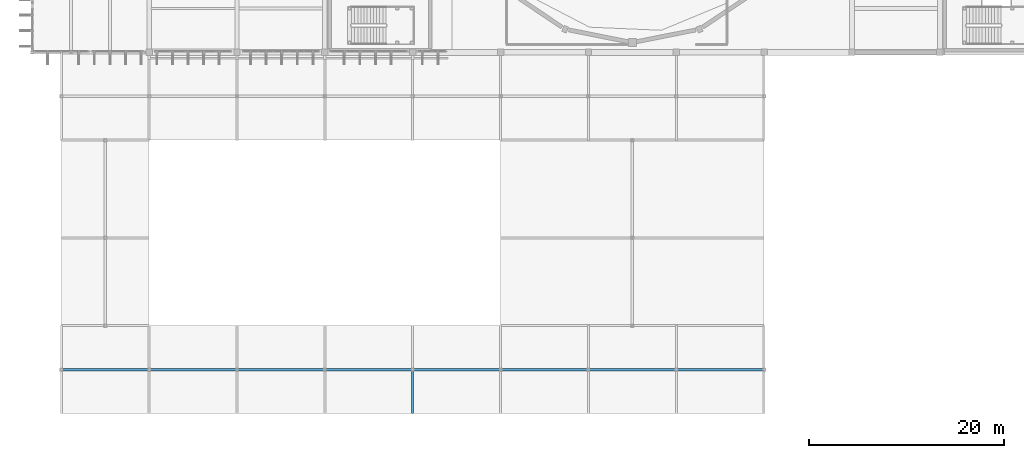
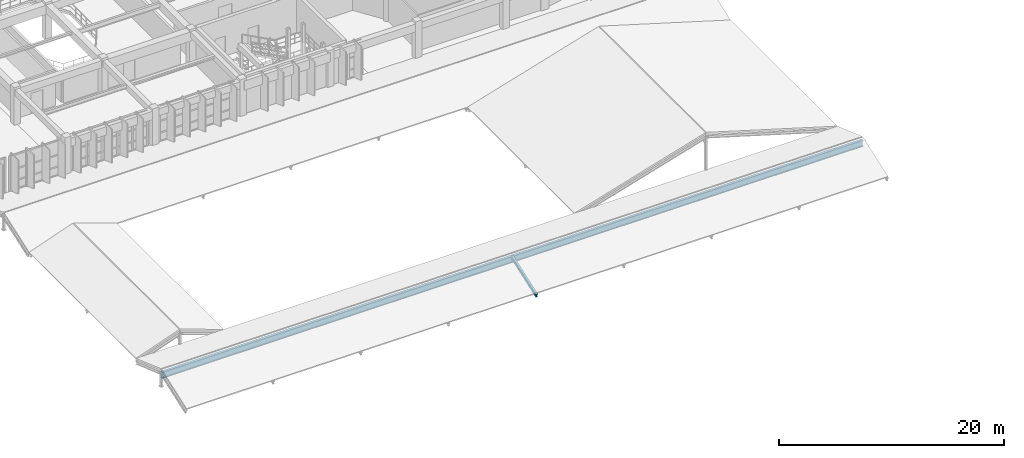
# One storey, part 10 of 80: 1 beam, 1 member.
"""IFC4 building model written with IfcOpenShell, lengths in metres."""

from ifc_helpers import new_model, si_unit, direction, frame, origin, origin_2d, place, context, subcontext, project, spatial, i_section, extrude, material, material_profile, profile_set, type_object, element, save


model = new_model("IFC4")

# Units and contexts
model_context = context("Model", 3, precision=1e-05, world=origin(), true_north=direction((0.0, 1.0)))
body_context = subcontext(model_context, "Body", "Model", "MODEL_VIEW")
ifc_project = project(units=[si_unit("LENGTHUNIT", "METRE"), si_unit("AREAUNIT", "SQUARE_METRE"), si_unit("VOLUMEUNIT", "CUBIC_METRE"), si_unit("PLANEANGLEUNIT", "RADIAN"), si_unit("MASSUNIT", "GRAM", prefix="KILO")], contexts=[model_context])

# Site, building, storey
site_placement = place(None, origin())
site = spatial("IfcSite", under=ifc_project, at=site_placement, CompositionType="ELEMENT")
building_placement = place(site_placement, origin())
building = spatial("IfcBuilding", under=site, at=building_placement, Name="Miravela Opera House", CompositionType="ELEMENT")
storey_placement = place(building_placement, frame((0.0, 0.0, 17.679931640625)))
storey = spatial("IfcBuildingStorey", under=building, at=storey_placement, Name="L04", CompositionType="ELEMENT", Elevation=17.679931640625)

# Beam
ifc_material = material(Name="Structural steel ASTM A992 Gr. 50", Category="steel")
ifc_material_profile_1 = material_profile(ifc_material, i_section(OverallWidth=0.256103515625, OverallDepth=0.693115234375, WebThickness=0.014404296875, FlangeThickness=0.023681640625, FilletRadius=0.01806640625, at=origin_2d()), Name="W690X170")
ifc_profile_set_1 = profile_set([ifc_material_profile_1])
beam_type = type_object("IfcBeamType", Name="STR-BM-W690X170", PredefinedType="BEAM", material=ifc_profile_set_1)
beam_placement = place(storey_placement, frame((18.0, 4.5, 0.93359375), z_axis=(1.0, 0.0, 0.0), x_axis=(0.0, 1.0, 0.0)))
element("IfcBeam", 1, at=beam_placement, inside=storey, type_object=beam_type, Name="Clay Tile Roof Ridge Beam ROOF-V4-WEST-S", PredefinedType="BEAM", context=body_context, shape_type="SweptSolid", body=[
    extrude(i_section(OverallWidth=0.256103515625, OverallDepth=0.693115234375, WebThickness=0.014404296875, FlangeThickness=0.023681640625, FilletRadius=0.01806640625, at=origin_2d()), origin(), (0.0, 0.0, 1.0), 72.0),
])

# Member
ifc_material_profile_2 = material_profile(ifc_material, i_section(OverallWidth=0.2041015625, OverallDepth=0.35009765625, WebThickness=0.008544921875, FlangeThickness=0.01513671875, FilletRadius=0.013916015625, at=origin_2d()), Name="W360X72")
ifc_profile_set_2 = profile_set([ifc_material_profile_2])
member_type = type_object("IfcMemberType", Name="STR-MEM-RAFTER-1", PredefinedType="RAFTER", material=ifc_profile_set_2)
member_placement = place(storey_placement, frame((54.0, 0.050048828125, -0.39990234375), z_axis=(0.0, 0.943687918104, 0.3308369889), x_axis=(-1.0, 0.0, 0.0)))
element("IfcMember", 2, at=member_placement, inside=storey, type_object=member_type, Name="Pitched Roof Rafter ROOF-V4-WEST-S S4", PredefinedType="RAFTER", context=body_context, shape_type="SweptSolid", body=[
    extrude(i_section(OverallWidth=0.2041015625, OverallDepth=0.35009765625, WebThickness=0.008544921875, FlangeThickness=0.01513671875, FilletRadius=0.013916015625, at=origin_2d()), origin(), (0.0, 0.0, 1.0), 4.715576171875),
])

save(model, "model.ifc")
